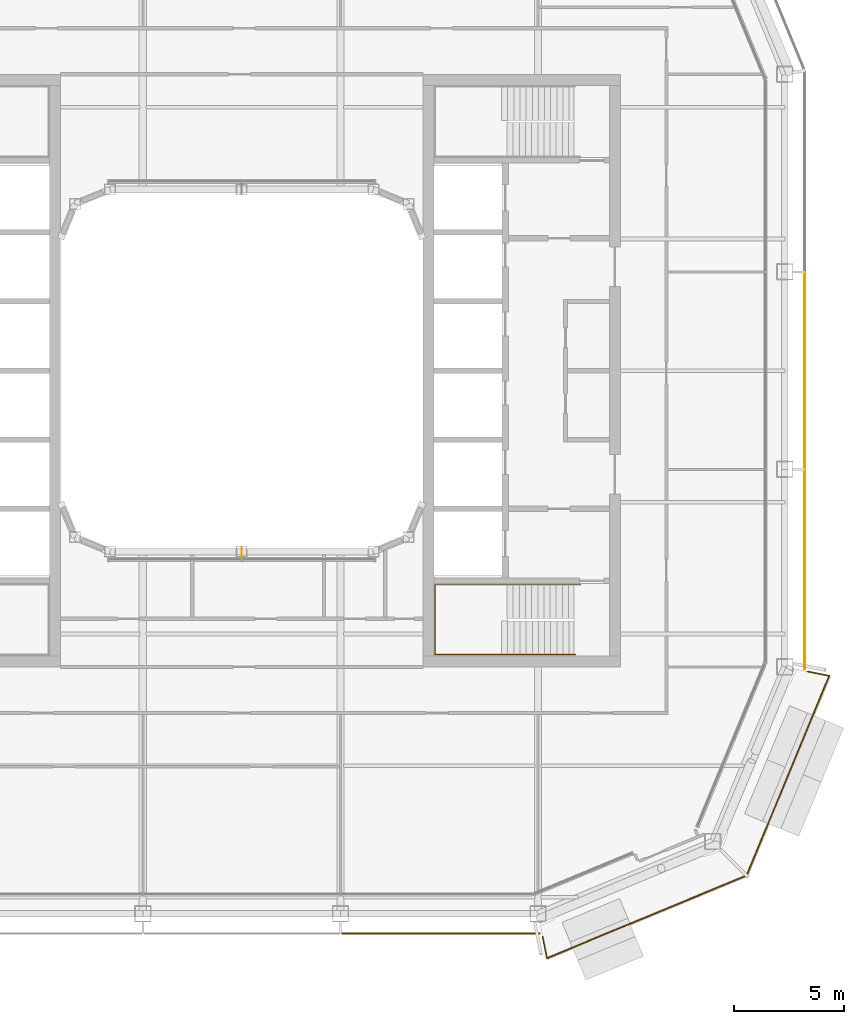
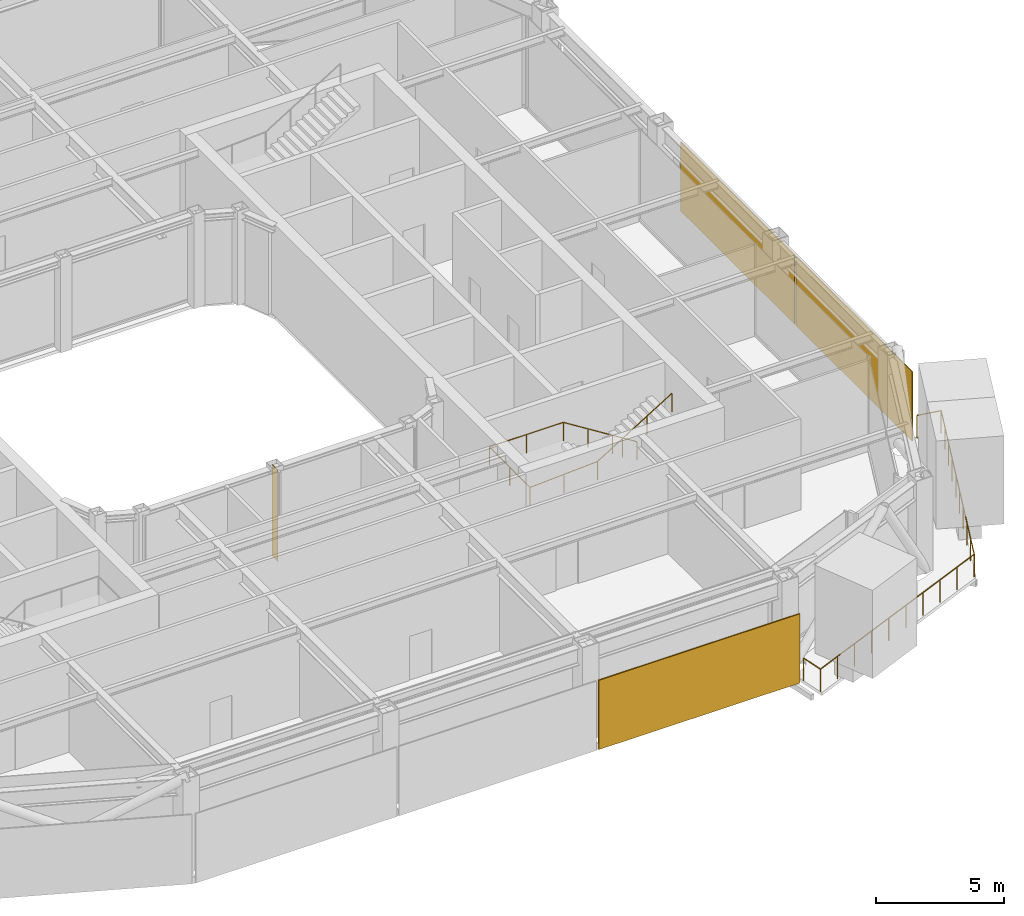
# One storey, part 18 of 21: 3 coverings, 2 railings, 1 shading device.
"""IFC4 building model written with IfcOpenShell, lengths in metres."""

from ifc_helpers import new_model, si_unit, direction, frame, origin, origin_2d, place, context, subcontext, project, spatial, rectangle, circle, extrude, material, layer, layer_set, type_object, element, save


model = new_model("IFC4")

# Units and contexts
model_context = context("Model", 3, precision=1e-05, world=origin(), true_north=direction((0.0, 1.0)))
body_context = subcontext(model_context, "Body", "Model", "MODEL_VIEW")
ifc_project = project(units=[si_unit("LENGTHUNIT", "METRE"), si_unit("AREAUNIT", "SQUARE_METRE"), si_unit("VOLUMEUNIT", "CUBIC_METRE"), si_unit("PLANEANGLEUNIT", "RADIAN"), si_unit("MASSUNIT", "GRAM", prefix="KILO")], contexts=[model_context])

# Site, building, storey
site_placement = place(None, origin())
site = spatial("IfcSite", under=ifc_project, at=site_placement, CompositionType="ELEMENT")
building_placement = place(site_placement, origin())
building = spatial("IfcBuilding", under=site, at=building_placement, Name="Siwar Civic Tower", CompositionType="ELEMENT")
storey_placement = place(building_placement, frame((0.0, 0.0, 303.199951171875)))
storey = spatial("IfcBuildingStorey", under=building, at=storey_placement, Name="L65", CompositionType="ELEMENT", Elevation=303.199951171875)

# Railing
ifc_material_1 = material(Name="Stainless steel", Category="steel")
railing_type_1 = type_object("IfcRailingType", Name="CORE-STAIR-HANDRAIL", PredefinedType="HANDRAIL", material=ifc_material_1)
railing_1_placement = place(storey_placement, frame((15.449951171875, -9.758056640625, 0.173095703125)))
element("IfcRailing", 1, at=railing_1_placement, inside=storey, type_object=railing_type_1, Name="Stair handrail ST4", PredefinedType="HANDRAIL", context=body_context, shape_type="SweptSolid", body=[
    extrude(circle(Radius=0.02001953125, at=origin_2d()), frame((0.0, 0.0, 0.8798828125), z_axis=(-0.847063342986, 0.0, 0.531491950051), x_axis=(0.0, -1.0, 0.0)), (0.0, 0.0, 1.0), 3.90771484375),
    extrude(circle(Radius=0.02001953125, at=origin_2d()), frame((-3.31005859375, 0.0, 2.956787109375), z_axis=(-1.0, 0.0, 0.0), x_axis=(0.0, -1.0, 0.0)), (0.0, 0.0, 1.0), 3.331787109375),
    extrude(circle(Radius=0.02001953125, at=origin_2d()), frame((-6.641845703125, 0.0, 2.956787109375), z_axis=(0.0, -1.0, 0.0), x_axis=(1.0, 0.0, 0.0)), (0.0, 0.0, 1.0), 3.183837890625),
    extrude(circle(Radius=0.02001953125, at=origin_2d()), frame((-6.641845703125, -3.183837890625, 2.956787109375), z_axis=(0.99837434197, 0.0, 0.056997134106), x_axis=(0.0, 1.0, 0.0)), (0.0, 0.0, 1.0), 3.036865234375),
    extrude(circle(Radius=0.02001953125, at=origin_2d()), frame((-3.60986328125, -3.183837890625, 3.1298828125), z_axis=(0.850606129759, 0.0, 0.525803396734), x_axis=(0.0, 1.0, 0.0)), (0.0, 0.0, 1.0), 3.949951171875),
    extrude(circle(Radius=0.02001953125, at=origin_2d()), origin(), (0.0, 0.0, 1.0), 0.85986328125),
    extrude(circle(Radius=0.02001953125, at=origin_2d()), frame((-1.103271484375, 0.0, 0.6923828125)), (0.0, 0.0, 1.0), 0.85986328125),
    extrude(circle(Radius=0.02001953125, at=origin_2d()), frame((-2.206787109375, 0.0, 1.384521484375)), (0.0, 0.0, 1.0), 0.85986328125),
    extrude(circle(Radius=0.02001953125, at=origin_2d()), frame((-3.31005859375, 0.0, 2.076904296875)), (0.0, 0.0, 1.0), 0.85986328125),
    extrude(circle(Radius=0.02001953125, at=origin_2d()), frame((-4.97607421875, 0.0, 2.076904296875)), (0.0, 0.0, 1.0), 0.85986328125),
    extrude(circle(Radius=0.02001953125, at=origin_2d()), frame((-6.641845703125, 0.0, 2.076904296875)), (0.0, 0.0, 1.0), 0.85986328125),
    extrude(circle(Radius=0.02001953125, at=origin_2d()), frame((-6.641845703125, -1.591796875, 2.076904296875)), (0.0, 0.0, 1.0), 0.85986328125),
    extrude(circle(Radius=0.02001953125, at=origin_2d()), frame((-6.641845703125, -3.183837890625, 2.076904296875)), (0.0, 0.0, 1.0), 0.85986328125),
    extrude(circle(Radius=0.02001953125, at=origin_2d()), frame((-5.1259765625, -3.183837890625, 2.16357421875)), (0.0, 0.0, 1.0), 0.85986328125),
    extrude(circle(Radius=0.02001953125, at=origin_2d()), frame((-3.60986328125, -3.183837890625, 2.25)), (0.0, 0.0, 1.0), 0.85986328125),
    extrude(circle(Radius=0.02001953125, at=origin_2d()), frame((-2.489990234375, -3.183837890625, 2.9423828125)), (0.0, 0.0, 1.0), 0.85986328125),
    extrude(circle(Radius=0.02001953125, at=origin_2d()), frame((-1.369873046875, -3.183837890625, 3.634521484375)), (0.0, 0.0, 1.0), 0.85986328125),
    extrude(circle(Radius=0.02001953125, at=origin_2d()), frame((-0.25, -3.183837890625, 4.326904296875)), (0.0, 0.0, 1.0), 0.85986328125),
])

# Shading device
ifc_material_2 = material(Name="Aluminium 6063-T6", Category="aluminium")
ifc_layer_1 = layer(ifc_material_2, 0.02001953125)
ifc_layer_set_1 = layer_set([ifc_layer_1], Name="Aluminium 6063-T6")
shading_device_type = type_object("IfcShadingDeviceType", Name="ENV-FIN", PredefinedType="JALOUSIE", material=ifc_layer_set_1)
shading_device_placement = place(storey_placement, frame((0.0, -8.294921875, 0.0), z_axis=(0.0, 0.0, 1.0), x_axis=(1.0, 0.0, 0.0)))
element("IfcShadingDevice", 2, at=shading_device_placement, inside=storey, type_object=shading_device_type, Name="SUNSHADE fin WS 1", PredefinedType="JALOUSIE", context=body_context, shape_type="SweptSolid", body=[
    extrude(rectangle(XDim=0.02001953125, YDim=0.449951171875, at=origin_2d()), origin(), (0.0, 0.0, 1.0), 4.35009765625),
])

# Railing
ifc_material_3 = material(Name="Stainless steel 316", Category="steel")
railing_type_2 = type_object("IfcRailingType", Name="ENV-GUARD", PredefinedType="GUARDRAIL", material=ifc_material_3)
railing_2_placement = place(storey_placement, frame((13.708251953125, -25.797119140625, 0.0)))
element("IfcRailing", 3, at=railing_2_placement, inside=storey, type_object=railing_type_2, Name="Balcony guard SE", PredefinedType="GUARDRAIL", context=body_context, shape_type="SweptSolid", body=[
    extrude(circle(Radius=0.02392578125, at=origin_2d()), frame((0.0, 0.0, 1.076171875), z_axis=(0.195123592472, -0.980778661911, 0.0), x_axis=(0.980778661911, 0.195123592472, 0.0)), (0.0, 0.0, 1.0), 0.993408203125),
    extrude(circle(Radius=0.02392578125, at=origin_2d()), frame((0.19384765625, -0.974365234375, 1.076171875), z_axis=(0.924056377406, 0.38225621169, 0.0), x_axis=(-0.38225621169, 0.924056377406, 0.0)), (0.0, 0.0, 1.0), 9.851806640625),
    extrude(circle(Radius=0.02392578125, at=origin_2d()), frame((9.29736328125, 2.79150390625, 1.076171875), z_axis=(0.38225621169, 0.924056377406, 0.0), x_axis=(-0.924056377406, 0.38225621169, 0.0)), (0.0, 0.0, 1.0), 9.851806640625),
    extrude(circle(Radius=0.02392578125, at=origin_2d()), frame((13.063232421875, 11.89501953125, 1.076171875), z_axis=(-0.980778661911, 0.195123592472, 0.0), x_axis=(-0.195123592472, -0.980778661911, 0.0)), (0.0, 0.0, 1.0), 0.993408203125),
    extrude(circle(Radius=0.02099609375, at=origin_2d()), origin(), (0.0, 0.0, 1.0), 1.052001953125),
    extrude(circle(Radius=0.02099609375, at=origin_2d()), frame((0.19384765625, -0.974365234375, 0.0)), (0.0, 0.0, 1.0), 1.052001953125),
    extrude(circle(Radius=0.02099609375, at=origin_2d()), frame((1.205322265625, -0.555908203125, 0.0)), (0.0, 0.0, 1.0), 1.052001953125),
    extrude(circle(Radius=0.02099609375, at=origin_2d()), frame((2.216796875, -0.137451171875, 0.0)), (0.0, 0.0, 1.0), 1.052001953125),
    extrude(circle(Radius=0.02099609375, at=origin_2d()), frame((3.228271484375, 0.281005859375, 0.0)), (0.0, 0.0, 1.0), 1.052001953125),
    extrude(circle(Radius=0.02099609375, at=origin_2d()), frame((4.23974609375, 0.699462890625, 0.0)), (0.0, 0.0, 1.0), 1.052001953125),
    extrude(circle(Radius=0.02099609375, at=origin_2d()), frame((5.25146484375, 1.11767578125, 0.0)), (0.0, 0.0, 1.0), 1.052001953125),
    extrude(circle(Radius=0.02099609375, at=origin_2d()), frame((6.262939453125, 1.5361328125, 0.0)), (0.0, 0.0, 1.0), 1.052001953125),
    extrude(circle(Radius=0.02099609375, at=origin_2d()), frame((7.2744140625, 1.95458984375, 0.0)), (0.0, 0.0, 1.0), 1.052001953125),
    extrude(circle(Radius=0.02099609375, at=origin_2d()), frame((8.285888671875, 2.373046875, 0.0)), (0.0, 0.0, 1.0), 1.052001953125),
    extrude(circle(Radius=0.02099609375, at=origin_2d()), frame((9.29736328125, 2.79150390625, 0.0)), (0.0, 0.0, 1.0), 1.052001953125),
    extrude(circle(Radius=0.02099609375, at=origin_2d()), frame((9.7158203125, 3.802978515625, 0.0)), (0.0, 0.0, 1.0), 1.052001953125),
    extrude(circle(Radius=0.02099609375, at=origin_2d()), frame((10.13427734375, 4.814453125, 0.0)), (0.0, 0.0, 1.0), 1.052001953125),
    extrude(circle(Radius=0.02099609375, at=origin_2d()), frame((10.552734375, 5.825927734375, 0.0)), (0.0, 0.0, 1.0), 1.052001953125),
    extrude(circle(Radius=0.02099609375, at=origin_2d()), frame((10.97119140625, 6.83740234375, 0.0)), (0.0, 0.0, 1.0), 1.052001953125),
    extrude(circle(Radius=0.02099609375, at=origin_2d()), frame((11.389404296875, 7.84912109375, 0.0)), (0.0, 0.0, 1.0), 1.052001953125),
    extrude(circle(Radius=0.02099609375, at=origin_2d()), frame((11.807861328125, 8.860595703125, 0.0)), (0.0, 0.0, 1.0), 1.052001953125),
    extrude(circle(Radius=0.02099609375, at=origin_2d()), frame((12.226318359375, 9.8720703125, 0.0)), (0.0, 0.0, 1.0), 1.052001953125),
    extrude(circle(Radius=0.02099609375, at=origin_2d()), frame((12.644775390625, 10.883544921875, 0.0)), (0.0, 0.0, 1.0), 1.052001953125),
    extrude(circle(Radius=0.02099609375, at=origin_2d()), frame((13.063232421875, 11.89501953125, 0.0)), (0.0, 0.0, 1.0), 1.052001953125),
    extrude(circle(Radius=0.02099609375, at=origin_2d()), frame((12.0888671875, 12.0888671875, 0.0)), (0.0, 0.0, 1.0), 1.052001953125),
])

# Coverings
ifc_material_4 = material(Name="Perforated aluminium cassette, pale metal", Category="aluminium")
ifc_layer_2 = layer(ifc_material_4, 0.0400390625)
ifc_layer_set_2 = layer_set([ifc_layer_2], Name="Perforated aluminium cassette, pale metal")
covering_type_1 = type_object("IfcCoveringType", Name="ENV-OUTER SKIN OS-1", PredefinedType="CLADDING", material=ifc_layer_set_2)
covering_1_placement = place(storey_placement, frame((25.64990234375, -9.07958984375, -0.14990234375), z_axis=(0.0, 0.0, 1.0), x_axis=(0.0, 1.0, 0.0)))
element("IfcCovering", 4, at=covering_1_placement, inside=storey, type_object=covering_type_1, Name="OUTER SKIN OS-1 E 1", PredefinedType="CLADDING", context=body_context, shape_type="SweptSolid", body=[
    extrude(rectangle(XDim=9.05908203125, YDim=0.0400390625, at=origin_2d()), origin(), (0.0, 0.0, 1.0), 3.300048828125),
])
covering_2_placement = place(storey_placement, frame((25.64990234375, 0.0, -0.14990234375), z_axis=(0.0, 0.0, 1.0), x_axis=(0.0, 1.0, 0.0)))
element("IfcCovering", 5, at=covering_2_placement, inside=storey, type_object=covering_type_1, Name="OUTER SKIN OS-1 E 2", PredefinedType="CLADDING", context=body_context, shape_type="SweptSolid", body=[
    extrude(rectangle(XDim=8.89990234375, YDim=0.0400390625, at=origin_2d()), origin(), (0.0, 0.0, 1.0), 3.300048828125),
])
ifc_material_5 = material(Name="Perforated aluminium cassette, pale metal", Category="aluminium")
ifc_layer_3 = layer(ifc_material_5, 0.054931640625)
ifc_layer_set_3 = layer_set([ifc_layer_3], Name="Perforated aluminium cassette, pale metal")
covering_type_2 = type_object("IfcCoveringType", Name="ENV-OUTER SKIN OS-4", PredefinedType="CLADDING", material=ifc_layer_set_3)
covering_3_placement = place(storey_placement, frame((9.07958984375, -25.64990234375, -0.14990234375), z_axis=(0.0, 0.0, 1.0), x_axis=(1.0, 0.0, 0.0)))
element("IfcCovering", 6, at=covering_3_placement, inside=storey, type_object=covering_type_2, Name="OUTER SKIN OS-4 S 3", PredefinedType="CLADDING", context=body_context, shape_type="SweptSolid", body=[
    extrude(rectangle(XDim=9.05908203125, YDim=0.054931640625, at=origin_2d()), origin(), (0.0, 0.0, 1.0), 3.300048828125),
])

save(model, "model.ifc")
